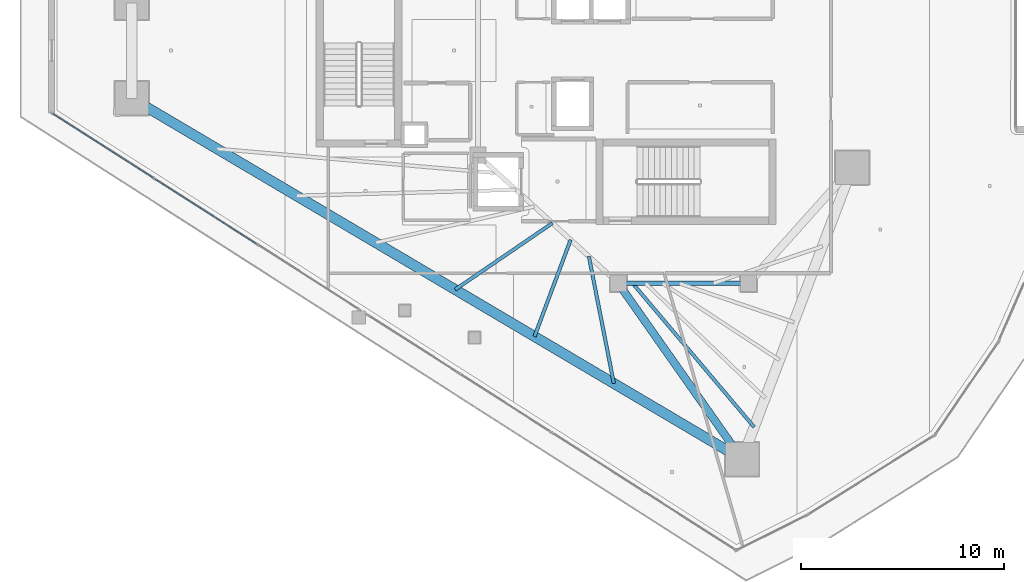
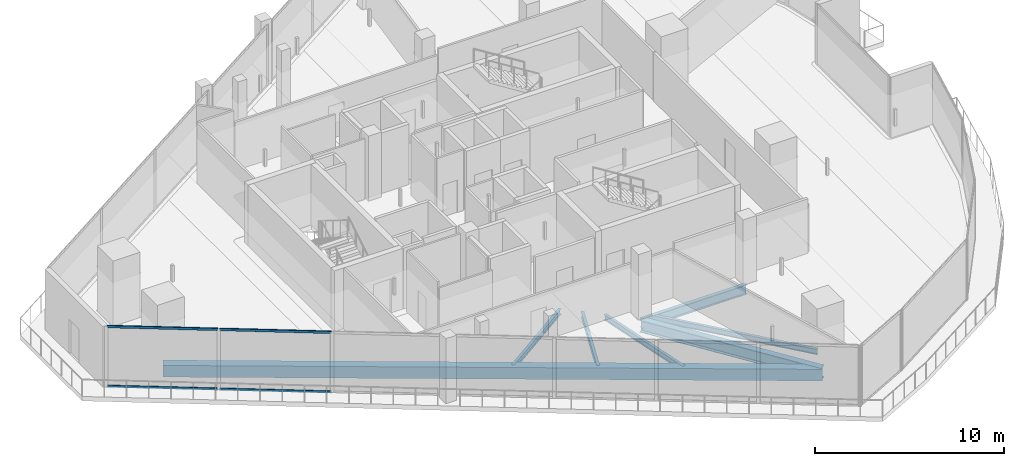
# One storey, part 5 of 31: 7 beams, 4 members, 1 element without a shape of its own.
"""IFC4 building model written with IfcOpenShell, lengths in metres."""

from ifc_helpers import new_model, si_unit, direction, frame, origin, origin_2d, place, context, subcontext, project, spatial, rectangle, hollow_rectangle, i_section, extrude, material, layer, layer_set, material_profile, profile_set, type_object, element, aggregate, save


model = new_model("IFC4")

# Units and contexts
model_context = context("Model", 3, precision=1e-05, world=origin(), true_north=direction((0.0, 1.0)))
body_context = subcontext(model_context, "Body", "Model", "MODEL_VIEW")
ifc_project = project(units=[si_unit("LENGTHUNIT", "METRE"), si_unit("AREAUNIT", "SQUARE_METRE"), si_unit("VOLUMEUNIT", "CUBIC_METRE"), si_unit("PLANEANGLEUNIT", "RADIAN"), si_unit("MASSUNIT", "GRAM", prefix="KILO")], contexts=[model_context])

# Site, building, storey
site_placement = place(None, origin())
site = spatial("IfcSite", under=ifc_project, at=site_placement, CompositionType="ELEMENT")
building_placement = place(site_placement, origin())
building = spatial("IfcBuilding", under=site, at=building_placement, Name="Qorvath Tower", CompositionType="ELEMENT")
storey_placement = place(building_placement, frame((0.0, 0.0, 264.0)))
storey = spatial("IfcBuildingStorey", under=building, at=storey_placement, Name="L61", CompositionType="ELEMENT", Elevation=264.0)

# Beams
ifc_material_1 = material(Name="Steel ASTM A992 Grade 50", Category="steel")
ifc_material_profile_1 = material_profile(ifc_material_1, i_section(OverallWidth=0.381103515625, OverallDepth=0.77294921875, WebThickness=0.0166015625, FlangeThickness=0.027099609375, FilletRadius=0.01904296875, at=origin_2d()), Name="W30x173")
ifc_profile_set_1 = profile_set([ifc_material_profile_1], Name="Steel ASTM A992 Grade 50")
beam_type_1 = type_object("IfcBeamType", Name="BM-FG3", PredefinedType="BEAM", material=ifc_profile_set_1)
beam_1_placement = place(storey_placement, frame((-23.60009765625, -11.449951171875, -0.676513671875), z_axis=(0.575274974004, -0.81796008722, 0.0), x_axis=(0.81796008722, 0.575274974004, 0.0)))
element("IfcBeam", 1, at=beam_1_placement, inside=storey, type_object=beam_type_1, Name="Radial Floor Girder CC4-MC3 L61", PredefinedType="BEAM", context=body_context, shape_type="SweptSolid", body=[
    extrude(i_section(OverallWidth=0.381103515625, OverallDepth=0.77294921875, WebThickness=0.0166015625, FlangeThickness=0.027099609375, FilletRadius=0.01904296875, at=origin_2d()), origin(), (0.0, 0.0, 1.0), 10.5771484375),
])
ifc_material_2 = material(Name="Steel ASTM A992 Grade 50", Category="steel")
ifc_material_profile_2 = material_profile(ifc_material_2, i_section(OverallWidth=0.22998046875, OverallDepth=0.616943359375, WebThickness=0.01318359375, FlangeThickness=0.022216796875, FilletRadius=0.014892578125, at=origin_2d()), Name="W24x94")
ifc_profile_set_2 = profile_set([ifc_material_profile_2], Name="Steel ASTM A992 Grade 50")
beam_type_2 = type_object("IfcBeamType", Name="BM-FG6", PredefinedType="BEAM", material=ifc_profile_set_2)
beam_2_placement = place(storey_placement, frame((-17.199951171875, -11.449951171875, -0.598388671875), z_axis=(-1.0, 0.0, 0.0), x_axis=(0.0, -1.0, 0.0)))
element("IfcBeam", 2, at=beam_2_placement, inside=storey, type_object=beam_type_2, Name="Core Ring Girder CC3-CC4 L61", PredefinedType="BEAM", context=body_context, shape_type="SweptSolid", body=[
    extrude(i_section(OverallWidth=0.22998046875, OverallDepth=0.616943359375, WebThickness=0.01318359375, FlangeThickness=0.022216796875, FilletRadius=0.014892578125, at=origin_2d()), origin(), (0.0, 0.0, 1.0), 6.400146484375),
])
ifc_material_3 = material(Name="Steel ASTM A992 Grade 50", Category="steel")
ifc_material_profile_3 = material_profile(ifc_material_3, i_section(OverallWidth=0.1708984375, OverallDepth=0.35107421875, WebThickness=0.0068359375, FlangeThickness=0.009765625, FilletRadius=0.010009765625, at=origin_2d()), Name="W14x30")
ifc_profile_set_3 = profile_set([ifc_material_profile_3], Name="Steel ASTM A992 Grade 50")
beam_type_3 = type_object("IfcBeamType", Name="BM-FJ4", PredefinedType="JOIST", material=ifc_profile_set_3)
beam_3_placement = place(storey_placement, frame((-22.89599609375, -11.449951171875, -0.465576171875), z_axis=(0.645381885676, -0.763860079885, 0.0), x_axis=(0.763860079885, 0.645381885676, 0.0)))
element("IfcBeam", 3, at=beam_3_placement, inside=storey, type_object=beam_type_3, Name="Composite Floor Joist SE7 L61", PredefinedType="JOIST", context=body_context, shape_type="SweptSolid", body=[
    extrude(i_section(OverallWidth=0.1708984375, OverallDepth=0.35107421875, WebThickness=0.0068359375, FlangeThickness=0.009765625, FilletRadius=0.010009765625, at=origin_2d()), origin(), (0.0, 0.0, 1.0), 9.260498046875),
])
beam_4_placement = place(storey_placement, frame((-26.843017578125, -8.489013671875, -0.465576171875), z_axis=(-0.82557592702, -0.564291049658, 0.0), x_axis=(0.564291049658, -0.82557592702, 0.0)))
element("IfcBeam", 4, at=beam_4_placement, inside=storey, type_object=beam_type_3, Name="Composite Floor Joist SW4 L61", PredefinedType="JOIST", context=body_context, shape_type="SweptSolid", body=[
    extrude(i_section(OverallWidth=0.1708984375, OverallDepth=0.35107421875, WebThickness=0.0068359375, FlangeThickness=0.009765625, FilletRadius=0.010009765625, at=origin_2d()), origin(), (0.0, 0.0, 1.0), 5.793212890625),
])
beam_5_placement = place(storey_placement, frame((-25.946044921875, -9.30810546875, -0.465576171875), z_axis=(-0.349858795354, -0.936802446257, 0.0), x_axis=(0.936802446257, -0.349858795354, 0.0)))
element("IfcBeam", 5, at=beam_5_placement, inside=storey, type_object=beam_type_3, Name="Composite Floor Joist SW5 L61", PredefinedType="JOIST", context=body_context, shape_type="SweptSolid", body=[
    extrude(i_section(OverallWidth=0.1708984375, OverallDepth=0.35107421875, WebThickness=0.0068359375, FlangeThickness=0.009765625, FilletRadius=0.010009765625, at=origin_2d()), origin(), (0.0, 0.0, 1.0), 5.078857421875),
])
beam_6_placement = place(storey_placement, frame((-25.049072265625, -10.126953125, -0.465576171875), z_axis=(0.193040016911, -0.981190884523, 0.0), x_axis=(0.981190884523, 0.193040016911, 0.0)))
element("IfcBeam", 6, at=beam_6_placement, inside=storey, type_object=beam_type_3, Name="Composite Floor Joist SW6 L61", PredefinedType="JOIST", context=body_context, shape_type="SweptSolid", body=[
    extrude(i_section(OverallWidth=0.1708984375, OverallDepth=0.35107421875, WebThickness=0.0068359375, FlangeThickness=0.009765625, FilletRadius=0.010009765625, at=origin_2d()), origin(), (0.0, 0.0, 1.0), 6.366455078125),
])
ifc_material_4 = material(Name="Concrete C45/55", Category="concrete")
ifc_material_profile_4 = material_profile(ifc_material_4, rectangle(XDim=0.5, YDim=0.75, at=origin_2d()), Name="RCB 750x500")
ifc_profile_set_4 = profile_set([ifc_material_profile_4], Name="Concrete C45/55")
beam_type_4 = type_object("IfcBeamType", Name="BM-RCB3", PredefinedType="SPANDREL", material=ifc_profile_set_4)
beam_7_placement = place(storey_placement, frame((-47.53759765625, -2.349609375, -0.6650390625), z_axis=(0.860781425392, -0.50897479083, 0.0), x_axis=(0.50897479083, 0.860781425392, 0.0)))
element("IfcBeam", 7, at=beam_7_placement, inside=storey, type_object=beam_type_4, Name="Perimeter Loggia Frame Beam MC2-MC3 L61", PredefinedType="SPANDREL", context=body_context, shape_type="SweptSolid", body=[
    extrude(rectangle(XDim=0.5, YDim=0.75, at=origin_2d()), origin(), (0.0, 0.0, 1.0), 34.8779296875),
])

# Curtain wall, members
ifc_material_5 = material(Name="Anodised aluminium and triple low-E glass", Category="aluminium")
ifc_layer = layer(ifc_material_5, 0.179931640625)
ifc_layer_set = layer_set([ifc_layer], Name="CW-SYS-4")
curtain_wall_type = type_object("IfcCurtainWallType", Name="CW-SYS-4", PredefinedType="NOTDEFINED", material=ifc_layer_set)
curtain_wall_placement = place(storey_placement, origin())
curtain_wall = element("IfcCurtainWall", 8, at=curtain_wall_placement, inside=storey, type_object=curtain_wall_type, Name="Curtain Wall CW-4 CW-T-L61-2.1", PredefinedType="NOTDEFINED")
ifc_material_6 = material(Name="Anodised aluminium 6063-T6", Category="aluminium")
ifc_material_profile_5 = material_profile(ifc_material_6, hollow_rectangle(XDim=0.06494140625, YDim=0.159912109375, WallThickness=0.00341796875, InnerFilletRadius=0.00341796875, OuterFilletRadius=0.007080078125, at=origin_2d()), Name="CWT 160x65")
ifc_profile_set_5 = profile_set([ifc_material_profile_5], Name="Anodised aluminium 6063-T6")
member_type = type_object("IfcMemberType", Name="CWT-160", PredefinedType="USERDEFINED", material=ifc_profile_set_5)
member_1_placement = place(storey_placement, frame((-51.407958984375, -3.114501953125, 0.032470703125), z_axis=(0.842590650022, -0.538554543659, 0.0), x_axis=(0.538554543659, 0.842590650022, 0.0)))
member_1 = element("IfcMember", 9, at=member_1_placement, type_object=member_type, Name="CW-4 transom 1.1", ObjectType="TRANSOM", PredefinedType="USERDEFINED", context=body_context, shape_type="SweptSolid", body=[
    extrude(hollow_rectangle(XDim=0.06494140625, YDim=0.159912109375, WallThickness=0.00341796875, InnerFilletRadius=0.00341796875, OuterFilletRadius=0.007080078125, at=origin_2d()), origin(), (0.0, 0.0, 1.0), 5.885986328125),
])
member_2_placement = place(storey_placement, frame((-51.407958984375, -3.114501953125, 3.87744140625), z_axis=(0.842590650022, -0.538554543659, 0.0), x_axis=(0.538554543659, 0.842590650022, 0.0)))
member_2 = element("IfcMember", 10, at=member_2_placement, type_object=member_type, Name="CW-4 transom 1.2", ObjectType="TRANSOM", PredefinedType="USERDEFINED", context=body_context, shape_type="SweptSolid", body=[
    extrude(hollow_rectangle(XDim=0.06494140625, YDim=0.159912109375, WallThickness=0.00341796875, InnerFilletRadius=0.00341796875, OuterFilletRadius=0.007080078125, at=origin_2d()), origin(), (0.0, 0.0, 1.0), 5.885986328125),
])
member_3_placement = place(storey_placement, frame((-46.38525390625, -6.32470703125, 0.032470703125), z_axis=(0.842592360617, -0.538551867354, 0.0), x_axis=(0.538551867354, 0.842592360617, 0.0)))
member_3 = element("IfcMember", 11, at=member_3_placement, type_object=member_type, Name="CW-4 transom 2.1", ObjectType="TRANSOM", PredefinedType="USERDEFINED", context=body_context, shape_type="SweptSolid", body=[
    extrude(hollow_rectangle(XDim=0.06494140625, YDim=0.159912109375, WallThickness=0.00341796875, InnerFilletRadius=0.00341796875, OuterFilletRadius=0.007080078125, at=origin_2d()), origin(), (0.0, 0.0, 1.0), 5.923583984375),
])
member_4_placement = place(storey_placement, frame((-46.38525390625, -6.32470703125, 3.87744140625), z_axis=(0.842592360617, -0.538551867354, 0.0), x_axis=(0.538551867354, 0.842592360617, 0.0)))
member_4 = element("IfcMember", 12, at=member_4_placement, type_object=member_type, Name="CW-4 transom 2.2", ObjectType="TRANSOM", PredefinedType="USERDEFINED", context=body_context, shape_type="SweptSolid", body=[
    extrude(hollow_rectangle(XDim=0.06494140625, YDim=0.159912109375, WallThickness=0.00341796875, InnerFilletRadius=0.00341796875, OuterFilletRadius=0.007080078125, at=origin_2d()), origin(), (0.0, 0.0, 1.0), 5.923583984375),
])
aggregate(curtain_wall, [member_1, member_2, member_3, member_4])

save(model, "model.ifc")
